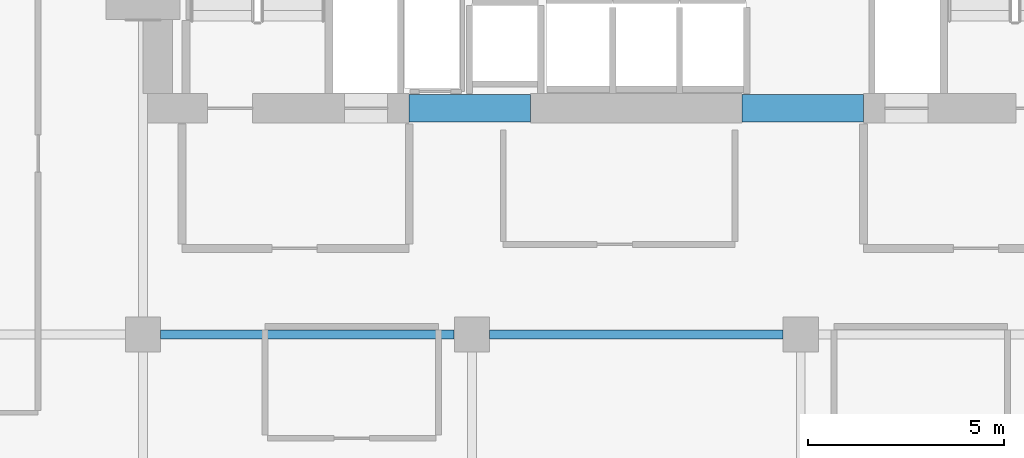
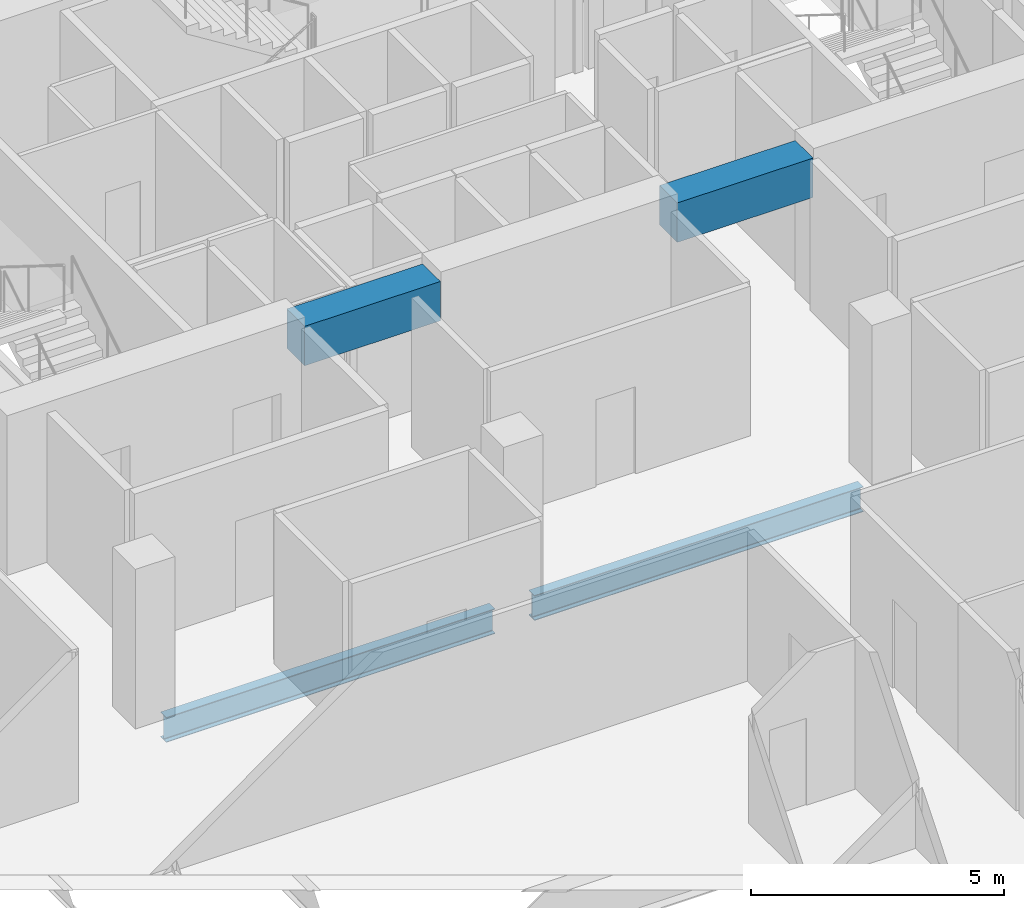
# One storey, part 21 of 32: 4 beams.
"""IFC4 building model written with IfcOpenShell, lengths in metres."""

from ifc_helpers import new_model, si_unit, direction, frame, origin, origin_2d, place, context, subcontext, project, spatial, rectangle, i_section, extrude, material, material_profile, profile_set, type_object, element, save


model = new_model("IFC4")

# Units and contexts
model_context = context("Model", 3, precision=1e-05, world=origin(), true_north=direction((0.0, 1.0)))
body_context = subcontext(model_context, "Body", "Model", "MODEL_VIEW")
ifc_project = project(units=[si_unit("LENGTHUNIT", "METRE"), si_unit("AREAUNIT", "SQUARE_METRE"), si_unit("VOLUMEUNIT", "CUBIC_METRE"), si_unit("PLANEANGLEUNIT", "RADIAN"), si_unit("MASSUNIT", "GRAM", prefix="KILO")], contexts=[model_context])

# Site, building, storey
site_placement = place(None, origin())
site = spatial("IfcSite", under=ifc_project, at=site_placement, CompositionType="ELEMENT")
building_placement = place(site_placement, origin())
building = spatial("IfcBuilding", under=site, at=building_placement, Name="Maruvema Waterfront Hotel and Observation Tower", CompositionType="ELEMENT")
storey_placement = place(building_placement, frame((0.0, 0.0, 162.050048828125)))
storey = spatial("IfcBuildingStorey", under=building, at=storey_placement, Name="L39", CompositionType="ELEMENT", Elevation=162.050048828125)

# Beams
ifc_material_1 = material(Name="Concrete C60/75", Category="concrete")
ifc_material_profile_1 = material_profile(ifc_material_1, rectangle(XDim=0.699951171875, YDim=0.949951171875, at=origin_2d()), Name="CB700x950")
ifc_profile_set_1 = profile_set([ifc_material_profile_1], Name="Concrete C60/75")
beam_type_1 = type_object("IfcBeamType", Name="Core Coupling Lintel Beam CB700x950", PredefinedType="LINTEL", material=ifc_profile_set_1)
for number, where, z_axis, x_axis, name in (
    (1, (32.0, 41.77490234375, 3.135009765625), (1.0, 0.0, 0.0), (0.0, 1.0, 0.0), "L39 Core Coupling Lintel Beam West"),
    (2, (40.5, 41.77490234375, 3.135009765625), (1.0, 0.0, 0.0), (0.0, 1.0, 0.0), "L39 Core Coupling Lintel Beam East"),
):
    element("IfcBeam", number, at=place(storey_placement, frame(where, z_axis=z_axis, x_axis=x_axis)), inside=storey, type_object=beam_type_1, Name=name, PredefinedType="LINTEL", context=body_context, shape_type="SweptSolid", body=[
        extrude(rectangle(XDim=0.699951171875, YDim=0.949951171875, at=origin_2d()), origin(), (0.0, 0.0, 1.0), 3.10009765625),
    ])
ifc_material_2 = material(Name="Steel ASTM A572 Grade 50", Category="steel")
ifc_material_profile_2 = material_profile(ifc_material_2, i_section(OverallWidth=0.22802734375, OverallDepth=0.60302734375, WebThickness=0.010498046875, FlangeThickness=0.014892578125, FilletRadius=0.01806640625, at=origin_2d()), Name="W610x101.0")
ifc_profile_set_2 = profile_set([ifc_material_profile_2], Name="Steel ASTM A572 Grade 50")
beam_type_2 = type_object("IfcBeamType", Name="Primary Floor Girder W610x101.0", PredefinedType="BEAM", material=ifc_profile_set_2)
for number, where, z_axis, x_axis, name in (
    (3, (25.64990234375, 36.0, -0.54150390625), (1.0, 0.0, 0.0), (0.0, 1.0, 0.0), "L39 Floor Girder EW-25"),
    (4, (34.050048828125, 36.0, -0.54150390625), (1.0, 0.0, 0.0), (0.0, 1.0, 0.0), "L39 Floor Girder EW-26"),
):
    element("IfcBeam", number, at=place(storey_placement, frame(where, z_axis=z_axis, x_axis=x_axis)), inside=storey, type_object=beam_type_2, Name=name, PredefinedType="BEAM", context=body_context, shape_type="SweptSolid", body=[
        extrude(i_section(OverallWidth=0.22802734375, OverallDepth=0.60302734375, WebThickness=0.010498046875, FlangeThickness=0.014892578125, FilletRadius=0.01806640625, at=origin_2d()), origin(), (0.0, 0.0, 1.0), 7.5),
    ])

save(model, "model.ifc")
